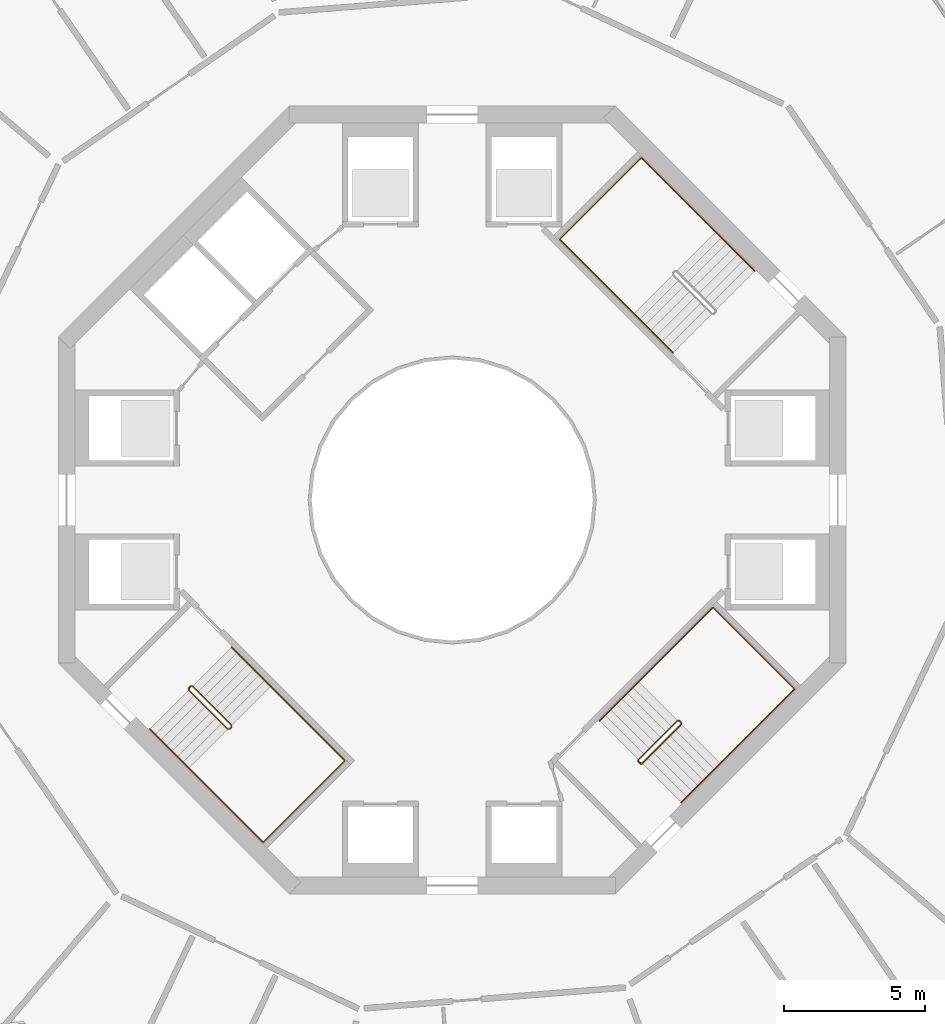
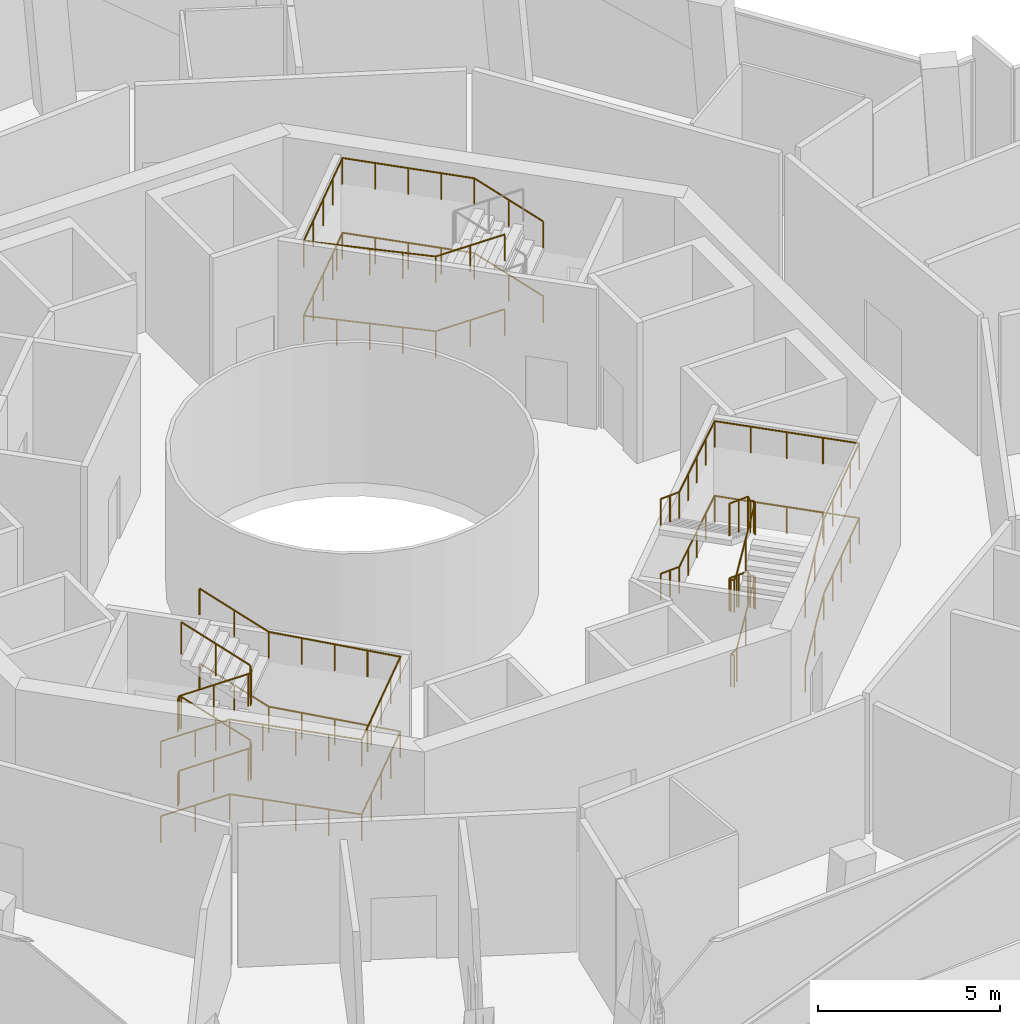
# One storey, part 19 of 21: 8 railings.
"""IFC4 building model written with IfcOpenShell, lengths in metres."""

from ifc_helpers import new_model, si_unit, direction, frame, origin, origin_2d, place, context, subcontext, project, spatial, circle, extrude, material, type_object, element, save


model = new_model("IFC4")

# Units and contexts
model_context = context("Model", 3, precision=1e-05, world=origin(), true_north=direction((0.0, 1.0)))
body_context = subcontext(model_context, "Body", "Model", "MODEL_VIEW")
ifc_project = project(units=[si_unit("LENGTHUNIT", "METRE"), si_unit("AREAUNIT", "SQUARE_METRE"), si_unit("VOLUMEUNIT", "CUBIC_METRE"), si_unit("PLANEANGLEUNIT", "RADIAN"), si_unit("MASSUNIT", "GRAM", prefix="KILO")], contexts=[model_context])

# Site, building, storey
site_placement = place(None, origin())
site = spatial("IfcSite", under=ifc_project, at=site_placement, CompositionType="ELEMENT")
building_placement = place(site_placement, origin())
building = spatial("IfcBuilding", under=site, at=building_placement, Name="Verdalira Terraces Hotel", CompositionType="ELEMENT")
storey_placement = place(building_placement, frame((0.0, 0.0, 175.0)))
storey = spatial("IfcBuildingStorey", under=building, at=storey_placement, Name="L42", CompositionType="ELEMENT", Elevation=175.0)

# Railings
ifc_material_1 = material(Name="Stainless steel", Category="steel")
railing_type_1 = type_object("IfcRailingType", Name="Stair guard 1100", PredefinedType="GUARDRAIL", material=ifc_material_1)
railing_1_placement = place(storey_placement, frame((-9.369141, -6.682129, 0.0)))
element("IfcRailing", 1, at=railing_1_placement, inside=storey, type_object=railing_type_1, Name="L42 ST2 stair guard 1", PredefinedType="GUARDRAIL", context=body_context, shape_type="SweptSolid", body=[
    extrude(circle(Radius=0.023926, at=origin_2d()), frame((0.0, 0.0, 1.076172), z_axis=(0.707106781, 0.707106781, 0.0), x_axis=(-0.707106781, 0.707106781, 0.0)), (0.0, 0.0, 1.0), 0.100098),
    extrude(circle(Radius=0.023926, at=origin_2d()), frame((0.070801, 0.070801, 1.076172), z_axis=(-0.31829718, -0.63659436, 0.702448949), x_axis=(0.894427191, -0.447213596, 0.0)), (0.0, 0.0, 1.0), 0.222412),
    extrude(circle(Radius=0.023926, at=origin_2d()), frame((0.0, -0.070801, 1.232422), z_axis=(0.61747733, -0.61747733, 0.48728174), x_axis=(0.707106781, 0.707106781, 0.0)), (0.0, 0.0, 1.0), 2.244629),
    extrude(circle(Radius=0.023926, at=origin_2d()), frame((1.385986, -1.456787, 2.326172), z_axis=(1.0, 0.0, 0.0), x_axis=(0.0, 1.0, 0.0)), (0.0, 0.0, 1.0), 0.070557),
    extrude(circle(Radius=0.023926, at=origin_2d()), frame((1.456543, -1.456787, 2.326172), z_axis=(0.707106781, 0.707106781, 0.0), x_axis=(-0.707106781, 0.707106781, 0.0)), (0.0, 0.0, 1.0), 0.100098),
    extrude(circle(Radius=0.023926, at=origin_2d()), frame((1.527344, -1.385986, 2.326172), z_axis=(0.0, 0.412730377, 0.910853246), x_axis=(-1.0, 0.0, 0.0)), (0.0, 0.0, 1.0), 0.171631),
    extrude(circle(Radius=0.023926, at=origin_2d()), frame((1.527344, -1.315186, 2.482422), z_axis=(-0.61747733, 0.61747733, 0.48728174), x_axis=(-0.707106781, -0.707106781, 0.0)), (0.0, 0.0, 1.0), 2.244629),
    extrude(circle(Radius=0.023926, at=origin_2d()), frame((0.141357, 0.070801, 3.576172), z_axis=(-1.0, 0.0, 0.0), x_axis=(0.0, -1.0, 0.0)), (0.0, 0.0, 1.0), 0.070557),
    extrude(circle(Radius=0.023926, at=origin_2d()), frame((0.070801, 0.070801, 3.576172), z_axis=(-0.707106781, -0.707106781, 0.0), x_axis=(0.707106781, -0.707106781, 0.0)), (0.0, 0.0, 1.0), 0.100098),
    extrude(circle(Radius=0.023926, at=origin_2d()), frame((0.0, 0.0, 3.576172), z_axis=(0.0, -0.412730377, 0.910853246), x_axis=(1.0, 0.0, 0.0)), (0.0, 0.0, 1.0), 0.171631),
    extrude(circle(Radius=0.023926, at=origin_2d()), frame((0.0, -0.070801, 3.732422), z_axis=(0.61747733, -0.61747733, 0.48728174), x_axis=(0.707106781, 0.707106781, 0.0)), (0.0, 0.0, 1.0), 2.244629),
    extrude(circle(Radius=0.023926, at=origin_2d()), frame((1.385986, -1.456787, 4.826172), z_axis=(1.0, 0.0, 0.0), x_axis=(0.0, 1.0, 0.0)), (0.0, 0.0, 1.0), 0.070557),
    extrude(circle(Radius=0.023926, at=origin_2d()), frame((1.456543, -1.456787, 4.826172), z_axis=(0.707106781, 0.707106781, 0.0), x_axis=(-0.707106781, 0.707106781, 0.0)), (0.0, 0.0, 1.0), 0.100098),
    extrude(circle(Radius=0.023926, at=origin_2d()), frame((1.527344, -1.385986, 4.826172), z_axis=(0.0, 0.412730377, 0.910853246), x_axis=(-1.0, 0.0, 0.0)), (0.0, 0.0, 1.0), 0.171631),
    extrude(circle(Radius=0.023926, at=origin_2d()), frame((1.527344, -1.315186, 4.982422), z_axis=(-0.61747733, 0.61747733, 0.48728174), x_axis=(-0.707106781, -0.707106781, 0.0)), (0.0, 0.0, 1.0), 2.244629),
    extrude(circle(Radius=0.020996, at=origin_2d()), origin(), (0.0, 0.0, 1.0), 1.052002),
    extrude(circle(Radius=0.020996, at=origin_2d()), frame((0.070801, 0.070801, 0.0)), (0.0, 0.0, 1.0), 1.052002),
    extrude(circle(Radius=0.020996, at=origin_2d()), frame((0.0, -0.070801, 0.15625)), (0.0, 0.0, 1.0), 1.052002),
    extrude(circle(Radius=0.020996, at=origin_2d()), frame((0.692871, -0.763672, 0.703125)), (0.0, 0.0, 1.0), 1.052002),
    extrude(circle(Radius=0.020996, at=origin_2d()), frame((1.385986, -1.456787, 1.25)), (0.0, 0.0, 1.0), 1.052002),
    extrude(circle(Radius=0.020996, at=origin_2d()), frame((1.456543, -1.456787, 1.25)), (0.0, 0.0, 1.0), 1.052002),
    extrude(circle(Radius=0.020996, at=origin_2d()), frame((1.527344, -1.385986, 1.25)), (0.0, 0.0, 1.0), 1.052002),
    extrude(circle(Radius=0.020996, at=origin_2d()), frame((1.527344, -1.315186, 1.40625)), (0.0, 0.0, 1.0), 1.052002),
    extrude(circle(Radius=0.020996, at=origin_2d()), frame((0.834473, -0.62207, 1.953125)), (0.0, 0.0, 1.0), 1.052002),
    extrude(circle(Radius=0.020996, at=origin_2d()), frame((0.141357, 0.070801, 2.5)), (0.0, 0.0, 1.0), 1.052002),
    extrude(circle(Radius=0.020996, at=origin_2d()), frame((0.070801, 0.070801, 2.5)), (0.0, 0.0, 1.0), 1.052002),
    extrude(circle(Radius=0.020996, at=origin_2d()), frame((0.0, 0.0, 2.5)), (0.0, 0.0, 1.0), 1.052002),
    extrude(circle(Radius=0.020996, at=origin_2d()), frame((0.0, -0.070801, 2.65625)), (0.0, 0.0, 1.0), 1.052002),
    extrude(circle(Radius=0.020996, at=origin_2d()), frame((0.692871, -0.763672, 3.203125)), (0.0, 0.0, 1.0), 1.052002),
    extrude(circle(Radius=0.020996, at=origin_2d()), frame((1.385986, -1.456787, 3.75)), (0.0, 0.0, 1.0), 1.052002),
    extrude(circle(Radius=0.020996, at=origin_2d()), frame((1.456543, -1.456787, 3.75)), (0.0, 0.0, 1.0), 1.052002),
    extrude(circle(Radius=0.020996, at=origin_2d()), frame((1.527344, -1.385986, 3.75)), (0.0, 0.0, 1.0), 1.052002),
    extrude(circle(Radius=0.020996, at=origin_2d()), frame((1.527344, -1.315186, 3.90625)), (0.0, 0.0, 1.0), 1.052002),
    extrude(circle(Radius=0.020996, at=origin_2d()), frame((0.834473, -0.62207, 4.453125)), (0.0, 0.0, 1.0), 1.052002),
    extrude(circle(Radius=0.020996, at=origin_2d()), frame((0.141357, 0.070801, 5.0)), (0.0, 0.0, 1.0), 1.052002),
])
railing_2_placement = place(storey_placement, frame((6.682129, -9.369141, 0.0)))
element("IfcRailing", 2, at=railing_2_placement, inside=storey, type_object=railing_type_1, Name="L42 ST3 stair guard 1", PredefinedType="GUARDRAIL", context=body_context, shape_type="SweptSolid", body=[
    extrude(circle(Radius=0.023926, at=origin_2d()), frame((0.0, 0.0, 1.076172), z_axis=(-0.707106781, 0.707106781, 0.0), x_axis=(-0.707106781, -0.707106781, 0.0)), (0.0, 0.0, 1.0), 0.100098),
    extrude(circle(Radius=0.023926, at=origin_2d()), frame((-0.070801, 0.070801, 1.076172), z_axis=(0.63659436, -0.31829718, 0.702448949), x_axis=(0.447213596, 0.894427191, 0.0)), (0.0, 0.0, 1.0), 0.222412),
    extrude(circle(Radius=0.023926, at=origin_2d()), frame((0.070801, 0.0, 1.232422), z_axis=(0.61747733, 0.61747733, 0.48728174), x_axis=(-0.707106781, 0.707106781, 0.0)), (0.0, 0.0, 1.0), 2.244629),
    extrude(circle(Radius=0.023926, at=origin_2d()), frame((1.456787, 1.385986, 2.326172), z_axis=(0.0, 1.0, 0.0), x_axis=(-1.0, 0.0, 0.0)), (0.0, 0.0, 1.0), 0.070557),
    extrude(circle(Radius=0.023926, at=origin_2d()), frame((1.456787, 1.456543, 2.326172), z_axis=(-0.707106781, 0.707106781, 0.0), x_axis=(-0.707106781, -0.707106781, 0.0)), (0.0, 0.0, 1.0), 0.100098),
    extrude(circle(Radius=0.023926, at=origin_2d()), frame((1.385986, 1.527344, 2.326172), z_axis=(-0.412730377, 0.0, 0.910853246), x_axis=(0.0, -1.0, 0.0)), (0.0, 0.0, 1.0), 0.171631),
    extrude(circle(Radius=0.023926, at=origin_2d()), frame((1.315186, 1.527344, 2.482422), z_axis=(-0.61747733, -0.61747733, 0.48728174), x_axis=(0.707106781, -0.707106781, 0.0)), (0.0, 0.0, 1.0), 2.244629),
    extrude(circle(Radius=0.023926, at=origin_2d()), frame((-0.070801, 0.141357, 3.576172), z_axis=(0.0, -1.0, 0.0), x_axis=(1.0, 0.0, 0.0)), (0.0, 0.0, 1.0), 0.070557),
    extrude(circle(Radius=0.023926, at=origin_2d()), frame((-0.070801, 0.070801, 3.576172), z_axis=(0.707106781, -0.707106781, 0.0), x_axis=(0.707106781, 0.707106781, 0.0)), (0.0, 0.0, 1.0), 0.100098),
    extrude(circle(Radius=0.023926, at=origin_2d()), frame((0.0, 0.0, 3.576172), z_axis=(0.412730377, 0.0, 0.910853246), x_axis=(0.0, 1.0, 0.0)), (0.0, 0.0, 1.0), 0.171631),
    extrude(circle(Radius=0.023926, at=origin_2d()), frame((0.070801, 0.0, 3.732422), z_axis=(0.61747733, 0.61747733, 0.48728174), x_axis=(-0.707106781, 0.707106781, 0.0)), (0.0, 0.0, 1.0), 2.244629),
    extrude(circle(Radius=0.023926, at=origin_2d()), frame((1.456787, 1.385986, 4.826172), z_axis=(0.0, 1.0, 0.0), x_axis=(-1.0, 0.0, 0.0)), (0.0, 0.0, 1.0), 0.070557),
    extrude(circle(Radius=0.023926, at=origin_2d()), frame((1.456787, 1.456543, 4.826172), z_axis=(-0.707106781, 0.707106781, 0.0), x_axis=(-0.707106781, -0.707106781, 0.0)), (0.0, 0.0, 1.0), 0.100098),
    extrude(circle(Radius=0.023926, at=origin_2d()), frame((1.385986, 1.527344, 4.826172), z_axis=(-0.412730377, 0.0, 0.910853246), x_axis=(0.0, -1.0, 0.0)), (0.0, 0.0, 1.0), 0.171631),
    extrude(circle(Radius=0.023926, at=origin_2d()), frame((1.315186, 1.527344, 4.982422), z_axis=(-0.61747733, -0.61747733, 0.48728174), x_axis=(0.707106781, -0.707106781, 0.0)), (0.0, 0.0, 1.0), 2.244629),
    extrude(circle(Radius=0.020996, at=origin_2d()), origin(), (0.0, 0.0, 1.0), 1.052002),
    extrude(circle(Radius=0.020996, at=origin_2d()), frame((-0.070801, 0.070801, 0.0)), (0.0, 0.0, 1.0), 1.052002),
    extrude(circle(Radius=0.020996, at=origin_2d()), frame((0.070801, 0.0, 0.15625)), (0.0, 0.0, 1.0), 1.052002),
    extrude(circle(Radius=0.020996, at=origin_2d()), frame((0.763672, 0.692871, 0.703125)), (0.0, 0.0, 1.0), 1.052002),
    extrude(circle(Radius=0.020996, at=origin_2d()), frame((1.456787, 1.385986, 1.25)), (0.0, 0.0, 1.0), 1.052002),
    extrude(circle(Radius=0.020996, at=origin_2d()), frame((1.456787, 1.456543, 1.25)), (0.0, 0.0, 1.0), 1.052002),
    extrude(circle(Radius=0.020996, at=origin_2d()), frame((1.385986, 1.527344, 1.25)), (0.0, 0.0, 1.0), 1.052002),
    extrude(circle(Radius=0.020996, at=origin_2d()), frame((1.315186, 1.527344, 1.40625)), (0.0, 0.0, 1.0), 1.052002),
    extrude(circle(Radius=0.020996, at=origin_2d()), frame((0.62207, 0.834473, 1.953125)), (0.0, 0.0, 1.0), 1.052002),
    extrude(circle(Radius=0.020996, at=origin_2d()), frame((-0.070801, 0.141357, 2.5)), (0.0, 0.0, 1.0), 1.052002),
    extrude(circle(Radius=0.020996, at=origin_2d()), frame((-0.070801, 0.070801, 2.5)), (0.0, 0.0, 1.0), 1.052002),
    extrude(circle(Radius=0.020996, at=origin_2d()), frame((0.0, 0.0, 2.5)), (0.0, 0.0, 1.0), 1.052002),
    extrude(circle(Radius=0.020996, at=origin_2d()), frame((0.070801, 0.0, 2.65625)), (0.0, 0.0, 1.0), 1.052002),
    extrude(circle(Radius=0.020996, at=origin_2d()), frame((0.763672, 0.692871, 3.203125)), (0.0, 0.0, 1.0), 1.052002),
    extrude(circle(Radius=0.020996, at=origin_2d()), frame((1.456787, 1.385986, 3.75)), (0.0, 0.0, 1.0), 1.052002),
    extrude(circle(Radius=0.020996, at=origin_2d()), frame((1.456787, 1.456543, 3.75)), (0.0, 0.0, 1.0), 1.052002),
    extrude(circle(Radius=0.020996, at=origin_2d()), frame((1.385986, 1.527344, 3.75)), (0.0, 0.0, 1.0), 1.052002),
    extrude(circle(Radius=0.020996, at=origin_2d()), frame((1.315186, 1.527344, 3.90625)), (0.0, 0.0, 1.0), 1.052002),
    extrude(circle(Radius=0.020996, at=origin_2d()), frame((0.62207, 0.834473, 4.453125)), (0.0, 0.0, 1.0), 1.052002),
    extrude(circle(Radius=0.020996, at=origin_2d()), frame((-0.070801, 0.141357, 5.0)), (0.0, 0.0, 1.0), 1.052002),
])
ifc_material_2 = material(Name="Stainless steel", Category="steel")
railing_type_2 = type_object("IfcRailingType", Name="Stair handrail 900", PredefinedType="HANDRAIL", material=ifc_material_2)
railing_3_placement = place(storey_placement, frame((10.748047, 8.131836, 0.15625)))
element("IfcRailing", 3, at=railing_3_placement, inside=storey, type_object=railing_type_2, Name="L42 ST1 stair handrail 1", PredefinedType="HANDRAIL", context=body_context, shape_type="SweptSolid", body=[
    extrude(circle(Radius=0.023926, at=origin_2d()), frame((0.0, 0.0, 0.875977), z_axis=(-0.617518801, 0.617410026, 0.487314467), x_axis=(-0.707044495, -0.707169062, 0.0)), (0.0, 0.0, 1.0), 2.244385),
    extrude(circle(Radius=0.023926, at=origin_2d()), frame((-1.385986, 1.385742, 1.969727), z_axis=(-0.707074142, 0.707139419, 0.0), x_axis=(-0.707139419, -0.707074142, 0.0)), (0.0, 0.0, 1.0), 3.73999),
    extrude(circle(Radius=0.023926, at=origin_2d()), frame((-4.030518, 4.030518, 1.969727), z_axis=(-0.707106781, -0.707106781, 0.0), x_axis=(0.707106781, -0.707106781, 0.0)), (0.0, 0.0, 1.0), 4.100098),
    extrude(circle(Radius=0.023926, at=origin_2d()), frame((-6.929688, 1.131348, 1.969727), z_axis=(0.706457917, -0.706523137, 0.041740497), x_axis=(0.707139419, 0.707074142, 0.0)), (0.0, 0.0, 1.0), 3.743408),
    extrude(circle(Radius=0.023926, at=origin_2d()), frame((-4.285156, -1.513428, 2.125977), z_axis=(0.617518801, -0.617410026, 0.487314467), x_axis=(0.707044495, 0.707169062, 0.0)), (0.0, 0.0, 1.0), 2.244385),
    extrude(circle(Radius=0.020996, at=origin_2d()), origin(), (0.0, 0.0, 1.0), 0.851807),
    extrude(circle(Radius=0.020996, at=origin_2d()), frame((-0.692871, 0.692871, 0.546875)), (0.0, 0.0, 1.0), 0.851807),
    extrude(circle(Radius=0.020996, at=origin_2d()), frame((-1.385986, 1.385742, 1.09375)), (0.0, 0.0, 1.0), 0.851807),
    extrude(circle(Radius=0.020996, at=origin_2d()), frame((-2.047119, 2.046875, 1.09375)), (0.0, 0.0, 1.0), 0.851807),
    extrude(circle(Radius=0.020996, at=origin_2d()), frame((-2.708252, 2.708008, 1.09375)), (0.0, 0.0, 1.0), 0.851807),
    extrude(circle(Radius=0.020996, at=origin_2d()), frame((-3.369385, 3.369385, 1.09375)), (0.0, 0.0, 1.0), 0.851807),
    extrude(circle(Radius=0.020996, at=origin_2d()), frame((-4.030518, 4.030518, 1.09375)), (0.0, 0.0, 1.0), 0.851807),
    extrude(circle(Radius=0.020996, at=origin_2d()), frame((-4.755371, 3.305664, 1.09375)), (0.0, 0.0, 1.0), 0.851807),
    extrude(circle(Radius=0.020996, at=origin_2d()), frame((-5.47998, 2.581055, 1.09375)), (0.0, 0.0, 1.0), 0.851807),
    extrude(circle(Radius=0.020996, at=origin_2d()), frame((-6.204834, 1.856201, 1.09375)), (0.0, 0.0, 1.0), 0.851807),
    extrude(circle(Radius=0.020996, at=origin_2d()), frame((-6.929688, 1.131348, 1.09375)), (0.0, 0.0, 1.0), 0.851807),
    extrude(circle(Radius=0.020996, at=origin_2d()), frame((-6.268555, 0.470215, 1.132812)), (0.0, 0.0, 1.0), 0.851807),
    extrude(circle(Radius=0.020996, at=origin_2d()), frame((-5.607422, -0.190918, 1.171875)), (0.0, 0.0, 1.0), 0.851807),
    extrude(circle(Radius=0.020996, at=origin_2d()), frame((-4.946289, -0.852295, 1.210938)), (0.0, 0.0, 1.0), 0.851807),
    extrude(circle(Radius=0.020996, at=origin_2d()), frame((-4.285156, -1.513428, 1.25)), (0.0, 0.0, 1.0), 0.851807),
    extrude(circle(Radius=0.020996, at=origin_2d()), frame((-3.592285, -2.206299, 1.796875)), (0.0, 0.0, 1.0), 0.851807),
    extrude(circle(Radius=0.020996, at=origin_2d()), frame((-2.89917, -2.89917, 2.34375)), (0.0, 0.0, 1.0), 0.851807),
])
railing_4_placement = place(storey_placement, frame((10.748047, 8.131836, 2.65625)))
element("IfcRailing", 4, at=railing_4_placement, inside=storey, type_object=railing_type_2, Name="L42 ST1 stair handrail 2", PredefinedType="HANDRAIL", context=body_context, shape_type="SweptSolid", body=[
    extrude(circle(Radius=0.023926, at=origin_2d()), frame((0.0, 0.0, 0.875977), z_axis=(-0.617518801, 0.617410026, 0.487314467), x_axis=(-0.707044495, -0.707169062, 0.0)), (0.0, 0.0, 1.0), 2.244385),
    extrude(circle(Radius=0.023926, at=origin_2d()), frame((-1.385986, 1.385742, 1.969727), z_axis=(-0.707074142, 0.707139419, 0.0), x_axis=(-0.707139419, -0.707074142, 0.0)), (0.0, 0.0, 1.0), 3.73999),
    extrude(circle(Radius=0.023926, at=origin_2d()), frame((-4.030518, 4.030518, 1.969727), z_axis=(-0.707106781, -0.707106781, 0.0), x_axis=(0.707106781, -0.707106781, 0.0)), (0.0, 0.0, 1.0), 4.100098),
    extrude(circle(Radius=0.023926, at=origin_2d()), frame((-6.929688, 1.131348, 1.969727), z_axis=(0.706457917, -0.706523137, 0.041740497), x_axis=(0.707139419, 0.707074142, 0.0)), (0.0, 0.0, 1.0), 3.743408),
    extrude(circle(Radius=0.023926, at=origin_2d()), frame((-4.285156, -1.513428, 2.125977), z_axis=(0.617518801, -0.617410026, 0.487314467), x_axis=(0.707044495, 0.707169062, 0.0)), (0.0, 0.0, 1.0), 2.244385),
    extrude(circle(Radius=0.020996, at=origin_2d()), origin(), (0.0, 0.0, 1.0), 0.851807),
    extrude(circle(Radius=0.020996, at=origin_2d()), frame((-0.692871, 0.692871, 0.546875)), (0.0, 0.0, 1.0), 0.851807),
    extrude(circle(Radius=0.020996, at=origin_2d()), frame((-1.385986, 1.385742, 1.09375)), (0.0, 0.0, 1.0), 0.851807),
    extrude(circle(Radius=0.020996, at=origin_2d()), frame((-2.047119, 2.046875, 1.09375)), (0.0, 0.0, 1.0), 0.851807),
    extrude(circle(Radius=0.020996, at=origin_2d()), frame((-2.708252, 2.708008, 1.09375)), (0.0, 0.0, 1.0), 0.851807),
    extrude(circle(Radius=0.020996, at=origin_2d()), frame((-3.369385, 3.369385, 1.09375)), (0.0, 0.0, 1.0), 0.851807),
    extrude(circle(Radius=0.020996, at=origin_2d()), frame((-4.030518, 4.030518, 1.09375)), (0.0, 0.0, 1.0), 0.851807),
    extrude(circle(Radius=0.020996, at=origin_2d()), frame((-4.755371, 3.305664, 1.09375)), (0.0, 0.0, 1.0), 0.851807),
    extrude(circle(Radius=0.020996, at=origin_2d()), frame((-5.47998, 2.581055, 1.09375)), (0.0, 0.0, 1.0), 0.851807),
    extrude(circle(Radius=0.020996, at=origin_2d()), frame((-6.204834, 1.856201, 1.09375)), (0.0, 0.0, 1.0), 0.851807),
    extrude(circle(Radius=0.020996, at=origin_2d()), frame((-6.929688, 1.131348, 1.09375)), (0.0, 0.0, 1.0), 0.851807),
    extrude(circle(Radius=0.020996, at=origin_2d()), frame((-6.268555, 0.470215, 1.132812)), (0.0, 0.0, 1.0), 0.851807),
    extrude(circle(Radius=0.020996, at=origin_2d()), frame((-5.607422, -0.190918, 1.171875)), (0.0, 0.0, 1.0), 0.851807),
    extrude(circle(Radius=0.020996, at=origin_2d()), frame((-4.946289, -0.852295, 1.210938)), (0.0, 0.0, 1.0), 0.851807),
    extrude(circle(Radius=0.020996, at=origin_2d()), frame((-4.285156, -1.513428, 1.25)), (0.0, 0.0, 1.0), 0.851807),
    extrude(circle(Radius=0.020996, at=origin_2d()), frame((-3.592285, -2.206299, 1.796875)), (0.0, 0.0, 1.0), 0.851807),
    extrude(circle(Radius=0.020996, at=origin_2d()), frame((-2.89917, -2.89917, 2.34375)), (0.0, 0.0, 1.0), 0.851807),
])
railing_5_placement = place(storey_placement, frame((-10.748047, -8.131836, 0.15625)))
element("IfcRailing", 5, at=railing_5_placement, inside=storey, type_object=railing_type_2, Name="L42 ST2 stair handrail 1", PredefinedType="HANDRAIL", context=body_context, shape_type="SweptSolid", body=[
    extrude(circle(Radius=0.023926, at=origin_2d()), frame((0.0, 0.0, 0.875977), z_axis=(0.617518801, -0.617410026, 0.487314467), x_axis=(0.707044495, 0.707169062, 0.0)), (0.0, 0.0, 1.0), 2.244385),
    extrude(circle(Radius=0.023926, at=origin_2d()), frame((1.385986, -1.385742, 1.969727), z_axis=(0.707074142, -0.707139419, 0.0), x_axis=(0.707139419, 0.707074142, 0.0)), (0.0, 0.0, 1.0), 3.73999),
    extrude(circle(Radius=0.023926, at=origin_2d()), frame((4.030518, -4.030518, 1.969727), z_axis=(0.707106781, 0.707106781, 0.0), x_axis=(-0.707106781, 0.707106781, 0.0)), (0.0, 0.0, 1.0), 4.100098),
    extrude(circle(Radius=0.023926, at=origin_2d()), frame((6.929688, -1.131348, 1.969727), z_axis=(-0.706457917, 0.706523137, 0.041740497), x_axis=(-0.707139419, -0.707074142, 0.0)), (0.0, 0.0, 1.0), 3.743408),
    extrude(circle(Radius=0.023926, at=origin_2d()), frame((4.285156, 1.513428, 2.125977), z_axis=(-0.617518801, 0.617410026, 0.487314467), x_axis=(-0.707044495, -0.707169062, 0.0)), (0.0, 0.0, 1.0), 2.244385),
    extrude(circle(Radius=0.020996, at=origin_2d()), origin(), (0.0, 0.0, 1.0), 0.851807),
    extrude(circle(Radius=0.020996, at=origin_2d()), frame((0.692871, -0.692871, 0.546875)), (0.0, 0.0, 1.0), 0.851807),
    extrude(circle(Radius=0.020996, at=origin_2d()), frame((1.385986, -1.385742, 1.09375)), (0.0, 0.0, 1.0), 0.851807),
    extrude(circle(Radius=0.020996, at=origin_2d()), frame((2.047119, -2.046875, 1.09375)), (0.0, 0.0, 1.0), 0.851807),
    extrude(circle(Radius=0.020996, at=origin_2d()), frame((2.708252, -2.708008, 1.09375)), (0.0, 0.0, 1.0), 0.851807),
    extrude(circle(Radius=0.020996, at=origin_2d()), frame((3.369385, -3.369385, 1.09375)), (0.0, 0.0, 1.0), 0.851807),
    extrude(circle(Radius=0.020996, at=origin_2d()), frame((4.030518, -4.030518, 1.09375)), (0.0, 0.0, 1.0), 0.851807),
    extrude(circle(Radius=0.020996, at=origin_2d()), frame((4.755371, -3.305664, 1.09375)), (0.0, 0.0, 1.0), 0.851807),
    extrude(circle(Radius=0.020996, at=origin_2d()), frame((5.47998, -2.581055, 1.09375)), (0.0, 0.0, 1.0), 0.851807),
    extrude(circle(Radius=0.020996, at=origin_2d()), frame((6.204834, -1.856201, 1.09375)), (0.0, 0.0, 1.0), 0.851807),
    extrude(circle(Radius=0.020996, at=origin_2d()), frame((6.929688, -1.131348, 1.09375)), (0.0, 0.0, 1.0), 0.851807),
    extrude(circle(Radius=0.020996, at=origin_2d()), frame((6.268555, -0.470215, 1.132812)), (0.0, 0.0, 1.0), 0.851807),
    extrude(circle(Radius=0.020996, at=origin_2d()), frame((5.607422, 0.190918, 1.171875)), (0.0, 0.0, 1.0), 0.851807),
    extrude(circle(Radius=0.020996, at=origin_2d()), frame((4.946289, 0.852295, 1.210938)), (0.0, 0.0, 1.0), 0.851807),
    extrude(circle(Radius=0.020996, at=origin_2d()), frame((4.285156, 1.513428, 1.25)), (0.0, 0.0, 1.0), 0.851807),
    extrude(circle(Radius=0.020996, at=origin_2d()), frame((3.592285, 2.206299, 1.796875)), (0.0, 0.0, 1.0), 0.851807),
    extrude(circle(Radius=0.020996, at=origin_2d()), frame((2.89917, 2.89917, 2.34375)), (0.0, 0.0, 1.0), 0.851807),
])
railing_6_placement = place(storey_placement, frame((-10.748047, -8.131836, 2.65625)))
element("IfcRailing", 6, at=railing_6_placement, inside=storey, type_object=railing_type_2, Name="L42 ST2 stair handrail 2", PredefinedType="HANDRAIL", context=body_context, shape_type="SweptSolid", body=[
    extrude(circle(Radius=0.023926, at=origin_2d()), frame((0.0, 0.0, 0.875977), z_axis=(0.617518801, -0.617410026, 0.487314467), x_axis=(0.707044495, 0.707169062, 0.0)), (0.0, 0.0, 1.0), 2.244385),
    extrude(circle(Radius=0.023926, at=origin_2d()), frame((1.385986, -1.385742, 1.969727), z_axis=(0.707074142, -0.707139419, 0.0), x_axis=(0.707139419, 0.707074142, 0.0)), (0.0, 0.0, 1.0), 3.73999),
    extrude(circle(Radius=0.023926, at=origin_2d()), frame((4.030518, -4.030518, 1.969727), z_axis=(0.707106781, 0.707106781, 0.0), x_axis=(-0.707106781, 0.707106781, 0.0)), (0.0, 0.0, 1.0), 4.100098),
    extrude(circle(Radius=0.023926, at=origin_2d()), frame((6.929688, -1.131348, 1.969727), z_axis=(-0.706457917, 0.706523137, 0.041740497), x_axis=(-0.707139419, -0.707074142, 0.0)), (0.0, 0.0, 1.0), 3.743408),
    extrude(circle(Radius=0.023926, at=origin_2d()), frame((4.285156, 1.513428, 2.125977), z_axis=(-0.617518801, 0.617410026, 0.487314467), x_axis=(-0.707044495, -0.707169062, 0.0)), (0.0, 0.0, 1.0), 2.244385),
    extrude(circle(Radius=0.020996, at=origin_2d()), origin(), (0.0, 0.0, 1.0), 0.851807),
    extrude(circle(Radius=0.020996, at=origin_2d()), frame((0.692871, -0.692871, 0.546875)), (0.0, 0.0, 1.0), 0.851807),
    extrude(circle(Radius=0.020996, at=origin_2d()), frame((1.385986, -1.385742, 1.09375)), (0.0, 0.0, 1.0), 0.851807),
    extrude(circle(Radius=0.020996, at=origin_2d()), frame((2.047119, -2.046875, 1.09375)), (0.0, 0.0, 1.0), 0.851807),
    extrude(circle(Radius=0.020996, at=origin_2d()), frame((2.708252, -2.708008, 1.09375)), (0.0, 0.0, 1.0), 0.851807),
    extrude(circle(Radius=0.020996, at=origin_2d()), frame((3.369385, -3.369385, 1.09375)), (0.0, 0.0, 1.0), 0.851807),
    extrude(circle(Radius=0.020996, at=origin_2d()), frame((4.030518, -4.030518, 1.09375)), (0.0, 0.0, 1.0), 0.851807),
    extrude(circle(Radius=0.020996, at=origin_2d()), frame((4.755371, -3.305664, 1.09375)), (0.0, 0.0, 1.0), 0.851807),
    extrude(circle(Radius=0.020996, at=origin_2d()), frame((5.47998, -2.581055, 1.09375)), (0.0, 0.0, 1.0), 0.851807),
    extrude(circle(Radius=0.020996, at=origin_2d()), frame((6.204834, -1.856201, 1.09375)), (0.0, 0.0, 1.0), 0.851807),
    extrude(circle(Radius=0.020996, at=origin_2d()), frame((6.929688, -1.131348, 1.09375)), (0.0, 0.0, 1.0), 0.851807),
    extrude(circle(Radius=0.020996, at=origin_2d()), frame((6.268555, -0.470215, 1.132812)), (0.0, 0.0, 1.0), 0.851807),
    extrude(circle(Radius=0.020996, at=origin_2d()), frame((5.607422, 0.190918, 1.171875)), (0.0, 0.0, 1.0), 0.851807),
    extrude(circle(Radius=0.020996, at=origin_2d()), frame((4.946289, 0.852295, 1.210938)), (0.0, 0.0, 1.0), 0.851807),
    extrude(circle(Radius=0.020996, at=origin_2d()), frame((4.285156, 1.513428, 1.25)), (0.0, 0.0, 1.0), 0.851807),
    extrude(circle(Radius=0.020996, at=origin_2d()), frame((3.592285, 2.206299, 1.796875)), (0.0, 0.0, 1.0), 0.851807),
    extrude(circle(Radius=0.020996, at=origin_2d()), frame((2.89917, 2.89917, 2.34375)), (0.0, 0.0, 1.0), 0.851807),
])
railing_7_placement = place(storey_placement, frame((8.131836, -10.748047, 0.15625)))
element("IfcRailing", 7, at=railing_7_placement, inside=storey, type_object=railing_type_2, Name="L42 ST3 stair handrail 1", PredefinedType="HANDRAIL", context=body_context, shape_type="SweptSolid", body=[
    extrude(circle(Radius=0.023926, at=origin_2d()), frame((0.0, 0.0, 0.875977), z_axis=(0.617410026, 0.617518801, 0.487314467), x_axis=(-0.707169062, 0.707044495, 0.0)), (0.0, 0.0, 1.0), 2.244385),
    extrude(circle(Radius=0.023926, at=origin_2d()), frame((1.385742, 1.385986, 1.969727), z_axis=(0.707139419, 0.707074142, 0.0), x_axis=(-0.707074142, 0.707139419, 0.0)), (0.0, 0.0, 1.0), 3.73999),
    extrude(circle(Radius=0.023926, at=origin_2d()), frame((4.030518, 4.030518, 1.969727), z_axis=(-0.707106781, 0.707106781, 0.0), x_axis=(-0.707106781, -0.707106781, 0.0)), (0.0, 0.0, 1.0), 4.100098),
    extrude(circle(Radius=0.023926, at=origin_2d()), frame((1.131348, 6.929688, 1.969727), z_axis=(-0.706523137, -0.706457917, 0.041740497), x_axis=(0.707074142, -0.707139419, 0.0)), (0.0, 0.0, 1.0), 3.743408),
    extrude(circle(Radius=0.023926, at=origin_2d()), frame((-1.513428, 4.285156, 2.125977), z_axis=(-0.617410026, -0.617518801, 0.487314467), x_axis=(0.707169062, -0.707044495, 0.0)), (0.0, 0.0, 1.0), 2.244385),
    extrude(circle(Radius=0.020996, at=origin_2d()), origin(), (0.0, 0.0, 1.0), 0.851807),
    extrude(circle(Radius=0.020996, at=origin_2d()), frame((0.692871, 0.692871, 0.546875)), (0.0, 0.0, 1.0), 0.851807),
    extrude(circle(Radius=0.020996, at=origin_2d()), frame((1.385742, 1.385986, 1.09375)), (0.0, 0.0, 1.0), 0.851807),
    extrude(circle(Radius=0.020996, at=origin_2d()), frame((2.046875, 2.047119, 1.09375)), (0.0, 0.0, 1.0), 0.851807),
    extrude(circle(Radius=0.020996, at=origin_2d()), frame((2.708008, 2.708252, 1.09375)), (0.0, 0.0, 1.0), 0.851807),
    extrude(circle(Radius=0.020996, at=origin_2d()), frame((3.369385, 3.369385, 1.09375)), (0.0, 0.0, 1.0), 0.851807),
    extrude(circle(Radius=0.020996, at=origin_2d()), frame((4.030518, 4.030518, 1.09375)), (0.0, 0.0, 1.0), 0.851807),
    extrude(circle(Radius=0.020996, at=origin_2d()), frame((3.305664, 4.755371, 1.09375)), (0.0, 0.0, 1.0), 0.851807),
    extrude(circle(Radius=0.020996, at=origin_2d()), frame((2.581055, 5.47998, 1.09375)), (0.0, 0.0, 1.0), 0.851807),
    extrude(circle(Radius=0.020996, at=origin_2d()), frame((1.856201, 6.204834, 1.09375)), (0.0, 0.0, 1.0), 0.851807),
    extrude(circle(Radius=0.020996, at=origin_2d()), frame((1.131348, 6.929688, 1.09375)), (0.0, 0.0, 1.0), 0.851807),
    extrude(circle(Radius=0.020996, at=origin_2d()), frame((0.470215, 6.268555, 1.132812)), (0.0, 0.0, 1.0), 0.851807),
    extrude(circle(Radius=0.020996, at=origin_2d()), frame((-0.190918, 5.607422, 1.171875)), (0.0, 0.0, 1.0), 0.851807),
    extrude(circle(Radius=0.020996, at=origin_2d()), frame((-0.852295, 4.946289, 1.210938)), (0.0, 0.0, 1.0), 0.851807),
    extrude(circle(Radius=0.020996, at=origin_2d()), frame((-1.513428, 4.285156, 1.25)), (0.0, 0.0, 1.0), 0.851807),
    extrude(circle(Radius=0.020996, at=origin_2d()), frame((-2.206299, 3.592285, 1.796875)), (0.0, 0.0, 1.0), 0.851807),
    extrude(circle(Radius=0.020996, at=origin_2d()), frame((-2.89917, 2.89917, 2.34375)), (0.0, 0.0, 1.0), 0.851807),
])
railing_8_placement = place(storey_placement, frame((8.131836, -10.748047, 2.65625)))
element("IfcRailing", 8, at=railing_8_placement, inside=storey, type_object=railing_type_2, Name="L42 ST3 stair handrail 2", PredefinedType="HANDRAIL", context=body_context, shape_type="SweptSolid", body=[
    extrude(circle(Radius=0.023926, at=origin_2d()), frame((0.0, 0.0, 0.875977), z_axis=(0.617410026, 0.617518801, 0.487314467), x_axis=(-0.707169062, 0.707044495, 0.0)), (0.0, 0.0, 1.0), 2.244385),
    extrude(circle(Radius=0.023926, at=origin_2d()), frame((1.385742, 1.385986, 1.969727), z_axis=(0.707139419, 0.707074142, 0.0), x_axis=(-0.707074142, 0.707139419, 0.0)), (0.0, 0.0, 1.0), 3.73999),
    extrude(circle(Radius=0.023926, at=origin_2d()), frame((4.030518, 4.030518, 1.969727), z_axis=(-0.707106781, 0.707106781, 0.0), x_axis=(-0.707106781, -0.707106781, 0.0)), (0.0, 0.0, 1.0), 4.100098),
    extrude(circle(Radius=0.023926, at=origin_2d()), frame((1.131348, 6.929688, 1.969727), z_axis=(-0.706523137, -0.706457917, 0.041740497), x_axis=(0.707074142, -0.707139419, 0.0)), (0.0, 0.0, 1.0), 3.743408),
    extrude(circle(Radius=0.023926, at=origin_2d()), frame((-1.513428, 4.285156, 2.125977), z_axis=(-0.617410026, -0.617518801, 0.487314467), x_axis=(0.707169062, -0.707044495, 0.0)), (0.0, 0.0, 1.0), 2.244385),
    extrude(circle(Radius=0.020996, at=origin_2d()), origin(), (0.0, 0.0, 1.0), 0.851807),
    extrude(circle(Radius=0.020996, at=origin_2d()), frame((0.692871, 0.692871, 0.546875)), (0.0, 0.0, 1.0), 0.851807),
    extrude(circle(Radius=0.020996, at=origin_2d()), frame((1.385742, 1.385986, 1.09375)), (0.0, 0.0, 1.0), 0.851807),
    extrude(circle(Radius=0.020996, at=origin_2d()), frame((2.046875, 2.047119, 1.09375)), (0.0, 0.0, 1.0), 0.851807),
    extrude(circle(Radius=0.020996, at=origin_2d()), frame((2.708008, 2.708252, 1.09375)), (0.0, 0.0, 1.0), 0.851807),
    extrude(circle(Radius=0.020996, at=origin_2d()), frame((3.369385, 3.369385, 1.09375)), (0.0, 0.0, 1.0), 0.851807),
    extrude(circle(Radius=0.020996, at=origin_2d()), frame((4.030518, 4.030518, 1.09375)), (0.0, 0.0, 1.0), 0.851807),
    extrude(circle(Radius=0.020996, at=origin_2d()), frame((3.305664, 4.755371, 1.09375)), (0.0, 0.0, 1.0), 0.851807),
    extrude(circle(Radius=0.020996, at=origin_2d()), frame((2.581055, 5.47998, 1.09375)), (0.0, 0.0, 1.0), 0.851807),
    extrude(circle(Radius=0.020996, at=origin_2d()), frame((1.856201, 6.204834, 1.09375)), (0.0, 0.0, 1.0), 0.851807),
    extrude(circle(Radius=0.020996, at=origin_2d()), frame((1.131348, 6.929688, 1.09375)), (0.0, 0.0, 1.0), 0.851807),
    extrude(circle(Radius=0.020996, at=origin_2d()), frame((0.470215, 6.268555, 1.132812)), (0.0, 0.0, 1.0), 0.851807),
    extrude(circle(Radius=0.020996, at=origin_2d()), frame((-0.190918, 5.607422, 1.171875)), (0.0, 0.0, 1.0), 0.851807),
    extrude(circle(Radius=0.020996, at=origin_2d()), frame((-0.852295, 4.946289, 1.210938)), (0.0, 0.0, 1.0), 0.851807),
    extrude(circle(Radius=0.020996, at=origin_2d()), frame((-1.513428, 4.285156, 1.25)), (0.0, 0.0, 1.0), 0.851807),
    extrude(circle(Radius=0.020996, at=origin_2d()), frame((-2.206299, 3.592285, 1.796875)), (0.0, 0.0, 1.0), 0.851807),
    extrude(circle(Radius=0.020996, at=origin_2d()), frame((-2.89917, 2.89917, 2.34375)), (0.0, 0.0, 1.0), 0.851807),
])

save(model, "model.ifc")
